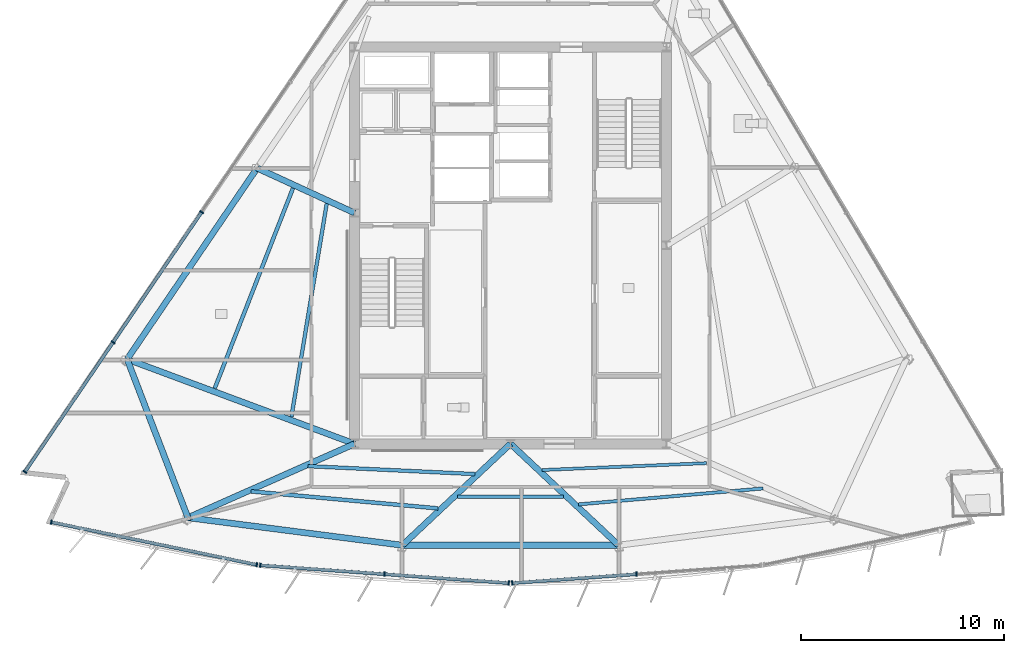
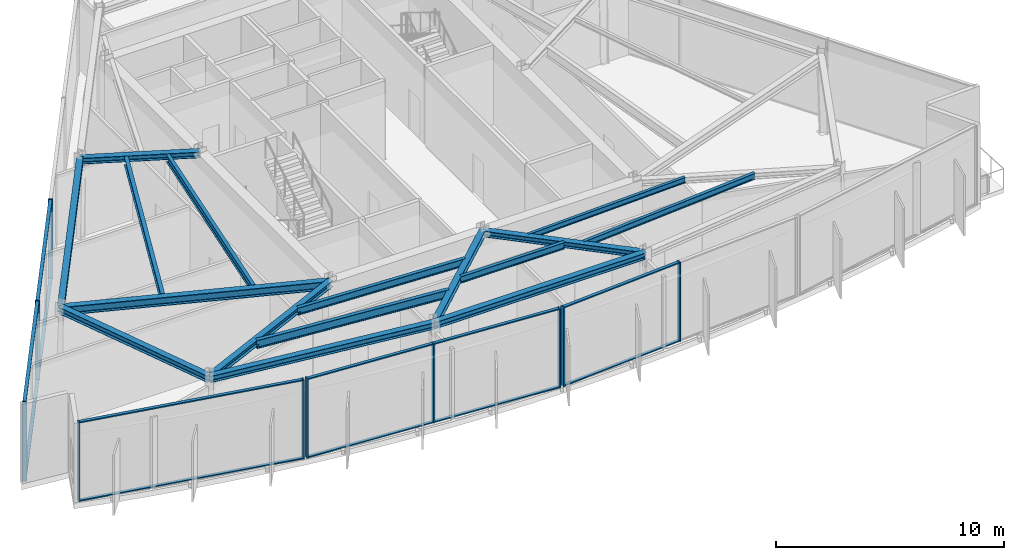
# One storey, part 2 of 12: 22 members, 16 beams, 4 elements without a shape of their own.
"""IFC4 building model written with IfcOpenShell, lengths in metres."""

from ifc_helpers import new_model, si_unit, direction, frame, origin, origin_2d, place, context, subcontext, project, spatial, rectangle, i_section, extrude, material, material_profile, profile_set, type_object, element, aggregate, save


model = new_model("IFC4")

# Units and contexts
model_context = context("Model", 3, precision=1e-05, world=origin(), true_north=direction((0.0, 1.0)))
body_context = subcontext(model_context, "Body", "Model", "MODEL_VIEW")
ifc_project = project(units=[si_unit("LENGTHUNIT", "METRE"), si_unit("AREAUNIT", "SQUARE_METRE"), si_unit("VOLUMEUNIT", "CUBIC_METRE"), si_unit("PLANEANGLEUNIT", "RADIAN"), si_unit("MASSUNIT", "GRAM", prefix="KILO")], contexts=[model_context])

# Site, building, storey
site_placement = place(None, origin())
site = spatial("IfcSite", under=ifc_project, at=site_placement, CompositionType="ELEMENT")
building_placement = place(site_placement, origin())
building = spatial("IfcBuilding", under=site, at=building_placement, Name="Savorim Split Tower", CompositionType="ELEMENT")
storey_placement = place(building_placement, frame((0.0, 0.0, 246.300048828125)))
storey = spatial("IfcBuildingStorey", under=building, at=storey_placement, Name="L65", CompositionType="ELEMENT", Elevation=246.300048828125)

# Beams
ifc_material_1 = material(Name="Steel S355", Category="steel")
ifc_material_profile_1 = material_profile(ifc_material_1, i_section(OverallWidth=0.14990234375, OverallDepth=0.300048828125, WebThickness=0.007080078125, FlangeThickness=0.0107421875, FilletRadius=0.014892578125, at=origin_2d()), Name="IPE 300")
ifc_profile_set_1 = profile_set([ifc_material_profile_1], Name="Steel S355")
beam_type_1 = type_object("IfcBeamType", Name="BM-JST-IPE300", PredefinedType="JOIST", material=ifc_profile_set_1)
beam_1_placement = place(storey_placement, frame((1.5478515625, -10.695556640625, 4.099853515625), z_axis=(0.999126509947, 0.041787762816, 0.0), x_axis=(-0.041787762816, 0.999126509947, 0.0)))
element("IfcBeam", 1, at=beam_1_placement, inside=storey, type_object=beam_type_1, Name="L65 Secondary Floor Joist JS-05", PredefinedType="JOIST", context=body_context, shape_type="SweptSolid", body=[
    extrude(i_section(OverallWidth=0.14990234375, OverallDepth=0.300048828125, WebThickness=0.007080078125, FlangeThickness=0.0107421875, FilletRadius=0.014892578125, at=origin_2d()), origin(), (0.0, 0.0, 1.0), 8.138427734375),
])
ifc_material_profile_2 = material_profile(ifc_material_1, i_section(OverallWidth=0.159912109375, OverallDepth=0.330078125, WebThickness=0.007568359375, FlangeThickness=0.011474609375, FilletRadius=0.01806640625, at=origin_2d()), Name="IPE 330")
ifc_profile_set_2 = profile_set([ifc_material_profile_2], Name="Steel S355")
beam_type_2 = type_object("IfcBeamType", Name="BM-JST-IPE330", PredefinedType="JOIST", material=ifc_profile_set_2)
beam_2_placement = place(storey_placement, frame((3.3623046875, -12.39111328125, 4.0849609375), z_axis=(0.996283123315, 0.086139063133, 0.0), x_axis=(-0.086139063133, 0.996283123315, 0.0)))
element("IfcBeam", 2, at=beam_2_placement, inside=storey, type_object=beam_type_2, Name="L65 Secondary Floor Joist JS-04", PredefinedType="JOIST", context=body_context, shape_type="SweptSolid", body=[
    extrude(i_section(OverallWidth=0.159912109375, OverallDepth=0.330078125, WebThickness=0.007568359375, FlangeThickness=0.011474609375, FilletRadius=0.01806640625, at=origin_2d()), origin(), (0.0, 0.0, 1.0), 9.14892578125),
])
ifc_material_profile_3 = material_profile(ifc_material_1, i_section(OverallWidth=0.169921875, OverallDepth=0.360107421875, WebThickness=0.008056640625, FlangeThickness=0.0126953125, FilletRadius=0.01806640625, at=origin_2d()), Name="IPE 360")
ifc_profile_set_3 = profile_set([ifc_material_profile_3], Name="Steel S355")
beam_type_3 = type_object("IfcBeamType", Name="BM-JST-IPE360", PredefinedType="JOIST", material=ifc_profile_set_3)
beam_3_placement = place(storey_placement, frame((-2.615966796875, -12.00439453125, 4.070068359375), z_axis=(1.0, 0.0, 0.0), x_axis=(0.0, 1.0, 0.0)))
element("IfcBeam", 3, at=beam_3_placement, inside=storey, type_object=beam_type_3, Name="L65 Secondary Floor Joist JS-03", PredefinedType="JOIST", context=body_context, shape_type="SweptSolid", body=[
    extrude(i_section(OverallWidth=0.169921875, OverallDepth=0.360107421875, WebThickness=0.008056640625, FlangeThickness=0.0126953125, FilletRadius=0.01806640625, at=origin_2d()), origin(), (0.0, 0.0, 1.0), 5.23193359375),
])
ifc_material_profile_4 = material_profile(ifc_material_1, i_section(OverallWidth=0.179931640625, OverallDepth=0.39990234375, WebThickness=0.008544921875, FlangeThickness=0.013427734375, FilletRadius=0.02099609375, at=origin_2d()), Name="IPE 400")
ifc_profile_set_4 = profile_set([ifc_material_profile_4], Name="Steel S355")
beam_type_4 = type_object("IfcBeamType", Name="BM-JST-IPE400", PredefinedType="JOIST", material=ifc_profile_set_4)
beam_4_placement = place(storey_placement, frame((-10.008544921875, -10.502197265625, 4.050048828125), z_axis=(0.998867602477, -0.047576388277, 0.0), x_axis=(0.047576388277, 0.998867602477, 0.0)))
element("IfcBeam", 4, at=beam_4_placement, inside=storey, type_object=beam_type_4, Name="L65 Secondary Floor Joist JS-02", PredefinedType="JOIST", context=body_context, shape_type="SweptSolid", body=[
    extrude(i_section(OverallWidth=0.179931640625, OverallDepth=0.39990234375, WebThickness=0.008544921875, FlangeThickness=0.013427734375, FilletRadius=0.02099609375, at=origin_2d()), origin(), (0.0, 0.0, 1.0), 8.256591796875),
])
beam_5_placement = place(storey_placement, frame((-9.072998046875, 2.46240234375, 4.050048828125), z_axis=(-0.163446088369, -0.986552267342, 0.0), x_axis=(0.986552267342, -0.163446088369, 0.0)))
element("IfcBeam", 5, at=beam_5_placement, inside=storey, type_object=beam_type_4, Name="L65 Secondary Floor Joist JS-11", PredefinedType="JOIST", context=body_context, shape_type="SweptSolid", body=[
    extrude(i_section(OverallWidth=0.179931640625, OverallDepth=0.39990234375, WebThickness=0.008544921875, FlangeThickness=0.013427734375, FilletRadius=0.02099609375, at=origin_2d()), origin(), (0.0, 0.0, 1.0), 10.678466796875),
])
ifc_material_profile_5 = material_profile(ifc_material_1, i_section(OverallWidth=0.18994140625, OverallDepth=0.449951171875, WebThickness=0.009521484375, FlangeThickness=0.0146484375, FilletRadius=0.02099609375, at=origin_2d()), Name="IPE 450")
ifc_profile_set_5 = profile_set([ifc_material_profile_5], Name="Steel S355")
beam_type_5 = type_object("IfcBeamType", Name="BM-JST-IPE450", PredefinedType="JOIST", material=ifc_profile_set_5)
beam_6_placement = place(storey_placement, frame((-12.806396484375, -11.749755859375, 4.02490234375), z_axis=(0.995874618253, -0.090739984128, 0.0), x_axis=(0.090739984128, 0.995874618253, 0.0)))
element("IfcBeam", 6, at=beam_6_placement, inside=storey, type_object=beam_type_5, Name="L65 Secondary Floor Joist JS-01", PredefinedType="JOIST", context=body_context, shape_type="SweptSolid", body=[
    extrude(i_section(OverallWidth=0.18994140625, OverallDepth=0.449951171875, WebThickness=0.009521484375, FlangeThickness=0.0146484375, FilletRadius=0.02099609375, at=origin_2d()), origin(), (0.0, 0.0, 1.0), 9.26904296875),
])
beam_7_placement = place(storey_placement, frame((-10.740478515625, 3.22412109375, 4.02490234375), z_axis=(-0.364069740651, -0.931371689468, 0.0), x_axis=(0.931371689468, -0.364069740651, 0.0)))
element("IfcBeam", 7, at=beam_7_placement, inside=storey, type_object=beam_type_5, Name="L65 Secondary Floor Joist JS-10", PredefinedType="JOIST", context=body_context, shape_type="SweptSolid", body=[
    extrude(i_section(OverallWidth=0.18994140625, OverallDepth=0.449951171875, WebThickness=0.009521484375, FlangeThickness=0.0146484375, FilletRadius=0.02099609375, at=origin_2d()), origin(), (0.0, 0.0, 1.0), 10.61328125),
])
ifc_material_profile_6 = material_profile(ifc_material_1, i_section(OverallWidth=0.300048828125, OverallDepth=0.320068359375, WebThickness=0.011474609375, FlangeThickness=0.0205078125, FilletRadius=0.027099609375, at=origin_2d()), Name="HEB 320")
ifc_profile_set_6 = profile_set([ifc_material_profile_6], Name="Steel S355")
beam_type_6 = type_object("IfcBeamType", Name="BM-PRI-HEB320", PredefinedType="BEAM", material=ifc_profile_set_6)
beam_8_placement = place(storey_placement, frame((-15.927490234375, -13.048828125, 4.08984375), z_axis=(0.914131178879, 0.405418534111, 0.0), x_axis=(-0.405418534111, 0.914131178879, 0.0)))
element("IfcBeam", 8, at=beam_8_placement, inside=storey, type_object=beam_type_6, Name="L65 Primary Floor Girder RG-01", PredefinedType="BEAM", context=body_context, shape_type="SweptSolid", body=[
    extrude(i_section(OverallWidth=0.300048828125, OverallDepth=0.320068359375, WebThickness=0.011474609375, FlangeThickness=0.0205078125, FilletRadius=0.027099609375, at=origin_2d()), origin(), (0.0, 0.0, 1.0), 9.00048828125),
])
for number, where, z_axis, x_axis, name in (
    (9, (-5.338134765625, -14.408447265625, 4.08984375), (0.729261515288, 0.684235078259, 0.0), (-0.684235078259, 0.729261515288, 0.0), "L65 Primary Floor Girder RG-02"),
    (10, (5.338134765625, -14.408447265625, 4.08984375), (-0.729261515288, 0.684235078259, 0.0), (-0.684235078259, -0.729261515288, 0.0), "L65 Primary Floor Girder RG-03"),
):
    element("IfcBeam", number, at=place(storey_placement, frame(where, z_axis=z_axis, x_axis=x_axis)), inside=storey, type_object=beam_type_6, Name=name, PredefinedType="BEAM", context=body_context, shape_type="SweptSolid", body=[
        extrude(i_section(OverallWidth=0.300048828125, OverallDepth=0.320068359375, WebThickness=0.011474609375, FlangeThickness=0.0205078125, FilletRadius=0.027099609375, at=origin_2d()), origin(), (0.0, 0.0, 1.0), 7.31982421875),
    ])
beam_9_placement = place(storey_placement, frame((-12.51025390625, 4.21484375, 4.08984375), z_axis=(0.908339516942, -0.418233573451, 0.0), x_axis=(0.418233573451, 0.908339516942, 0.0)))
element("IfcBeam", 11, at=beam_9_placement, inside=storey, type_object=beam_type_6, Name="L65 Primary Floor Girder RG-09", PredefinedType="BEAM", context=body_context, shape_type="SweptSolid", body=[
    extrude(i_section(OverallWidth=0.300048828125, OverallDepth=0.320068359375, WebThickness=0.011474609375, FlangeThickness=0.0205078125, FilletRadius=0.027099609375, at=origin_2d()), origin(), (0.0, 0.0, 1.0), 5.295654296875),
])
ifc_material_profile_7 = material_profile(ifc_material_1, i_section(OverallWidth=0.300048828125, OverallDepth=0.449951171875, WebThickness=0.013916015625, FlangeThickness=0.02587890625, FilletRadius=0.027099609375, at=origin_2d()), Name="HEB 450")
ifc_profile_set_7 = profile_set([ifc_material_profile_7], Name="Steel S355")
beam_type_7 = type_object("IfcBeamType", Name="BM-PRI-HEB450", PredefinedType="BEAM", material=ifc_profile_set_7)
beam_10_placement = place(storey_placement, frame((-18.93017578125, -5.222412109375, 4.02490234375), z_axis=(0.937254525246, -0.348645887551, 0.0), x_axis=(0.348645887551, 0.937254525246, 0.0)))
element("IfcBeam", 12, at=beam_10_placement, inside=storey, type_object=beam_type_7, Name="L65 Primary Floor Girder RG-10", PredefinedType="BEAM", context=body_context, shape_type="SweptSolid", body=[
    extrude(i_section(OverallWidth=0.300048828125, OverallDepth=0.449951171875, WebThickness=0.013916015625, FlangeThickness=0.02587890625, FilletRadius=0.027099609375, at=origin_2d()), origin(), (0.0, 0.0, 1.0), 11.98193359375),
])
ifc_material_profile_8 = material_profile(ifc_material_1, i_section(OverallWidth=0.300048828125, OverallDepth=0.35009765625, WebThickness=0.010009765625, FlangeThickness=0.017578125, FilletRadius=0.027099609375, at=origin_2d()), Name="HEA 360")
ifc_profile_set_8 = profile_set([ifc_material_profile_8], Name="Steel S355")
beam_type_8 = type_object("IfcBeamType", Name="BM-SPN-HEA360", PredefinedType="SPANDREL", material=ifc_profile_set_8)
for number, where, z_axis, x_axis, name in (
    (13, (-15.927490234375, -13.048828125, 4.074951171875), (0.991857907137, -0.127349487823, 0.0), (0.127349487823, 0.991857907137, 0.0), "L65 Perimeter Spandrel Beam 1"),
    (14, (-5.338134765625, -14.408447265625, 4.074951171875), (1.0, 0.0, 0.0), (0.0, 1.0, 0.0), "L65 Perimeter Spandrel Beam 2"),
):
    element("IfcBeam", number, at=place(storey_placement, frame(where, z_axis=z_axis, x_axis=x_axis)), inside=storey, type_object=beam_type_8, Name=name, PredefinedType="SPANDREL", context=body_context, shape_type="SweptSolid", body=[
        extrude(i_section(OverallWidth=0.300048828125, OverallDepth=0.35009765625, WebThickness=0.010009765625, FlangeThickness=0.017578125, FilletRadius=0.027099609375, at=origin_2d()), origin(), (0.0, 0.0, 1.0), 10.67626953125),
    ])
beam_11_placement = place(storey_placement, frame((-12.51025390625, 4.21484375, 4.074951171875), z_axis=(-0.562465052159, -0.826821059903, 0.0), x_axis=(0.826821059903, -0.562465052159, 0.0)))
element("IfcBeam", 15, at=beam_11_placement, inside=storey, type_object=beam_type_8, Name="L65 Perimeter Spandrel Beam 9", PredefinedType="SPANDREL", context=body_context, shape_type="SweptSolid", body=[
    extrude(i_section(OverallWidth=0.300048828125, OverallDepth=0.35009765625, WebThickness=0.010009765625, FlangeThickness=0.017578125, FilletRadius=0.027099609375, at=origin_2d()), origin(), (0.0, 0.0, 1.0), 11.413818359375),
])
beam_12_placement = place(storey_placement, frame((-18.93017578125, -5.222412109375, 4.074951171875), z_axis=(0.358202201629, -0.933644034281, 0.0), x_axis=(0.933644034281, 0.358202201629, 0.0)))
element("IfcBeam", 16, at=beam_12_placement, inside=storey, type_object=beam_type_8, Name="L65 Perimeter Spandrel Beam 10", PredefinedType="SPANDREL", context=body_context, shape_type="SweptSolid", body=[
    extrude(i_section(OverallWidth=0.300048828125, OverallDepth=0.35009765625, WebThickness=0.010009765625, FlangeThickness=0.017578125, FilletRadius=0.027099609375, at=origin_2d()), origin(), (0.0, 0.0, 1.0), 8.382568359375),
])

# Curtain wall, members
ifc_material_2 = material(Name="Dark Ceramic-Fritted Insulated Glass", Category="glass")
curtain_wall_type = type_object("IfcCurtainWallType", Name="CW-SKY-ATRIUM", PredefinedType="NOTDEFINED", material=ifc_material_2)
curtain_wall_1_placement = place(storey_placement, origin())
curtain_wall_1 = element("IfcCurtainWall", 17, at=curtain_wall_1_placement, inside=storey, type_object=curtain_wall_type, Name="L65 Curtain Wall CW-L65-SF1", PredefinedType="NOTDEFINED")
ifc_material_3 = material(Name="Charcoal Anodised Aluminium", Category="aluminium")
ifc_material_profile_9 = material_profile(ifc_material_3, rectangle(XDim=0.219970703125, YDim=0.070068359375, at=origin_2d()), Name="ALU-M 220x70")
ifc_profile_set_9 = profile_set([ifc_material_profile_9], Name="Charcoal Anodised Aluminium")
member_type_1 = type_object("IfcMemberType", Name="CWM-220x70", PredefinedType="MULLION", material=ifc_profile_set_9)
member_1_placement = place(storey_placement, frame((-22.673095703125, -13.26708984375, 0.0), z_axis=(0.0, 0.0, 1.0), x_axis=(0.20320761208, 0.979135673129, 0.0)))
member_1 = element("IfcMember", 18, at=member_1_placement, type_object=member_type_1, Name="CW-05 mullion 1", PredefinedType="MULLION", context=body_context, shape_type="SweptSolid", body=[
    extrude(rectangle(XDim=0.219970703125, YDim=0.070068359375, at=origin_2d()), origin(), (0.0, 0.0, 1.0), 4.25),
])
member_2_placement = place(storey_placement, frame((-12.529052734375, -15.372314453125, 0.0), z_axis=(0.0, 0.0, 1.0), x_axis=(0.20320761208, 0.979135673129, 0.0)))
member_2 = element("IfcMember", 19, at=member_2_placement, type_object=member_type_1, Name="CW-05 mullion 2", PredefinedType="MULLION", context=body_context, shape_type="SweptSolid", body=[
    extrude(rectangle(XDim=0.219970703125, YDim=0.070068359375, at=origin_2d()), origin(), (0.0, 0.0, 1.0), 4.25),
])

curtain_wall_2_placement = place(storey_placement, origin())
curtain_wall_2 = element("IfcCurtainWall", 20, at=curtain_wall_2_placement, inside=storey, type_object=curtain_wall_type, Name="L65 Curtain Wall CW-L65-SF2", PredefinedType="NOTDEFINED")
member_3_placement = place(storey_placement, frame((-12.357177734375, -15.396240234375, 0.0), z_axis=(0.0, 0.0, 1.0), x_axis=(0.071562386711, 0.997436125678, 0.0)))
member_3 = element("IfcMember", 21, at=member_3_placement, type_object=member_type_1, Name="CW-05 mullion 1", PredefinedType="MULLION", context=body_context, shape_type="SweptSolid", body=[
    extrude(rectangle(XDim=0.219970703125, YDim=0.070068359375, at=origin_2d()), origin(), (0.0, 0.0, 1.0), 4.25),
])
member_4_placement = place(storey_placement, frame((-6.2216796875, -15.83642578125, 0.0), z_axis=(0.0, 0.0, 1.0), x_axis=(0.071562386711, 0.997436125678, 0.0)))
member_4 = element("IfcMember", 22, at=member_4_placement, type_object=member_type_1, Name="CW-05 mullion 2", PredefinedType="MULLION", context=body_context, shape_type="SweptSolid", body=[
    extrude(rectangle(XDim=0.219970703125, YDim=0.070068359375, at=origin_2d()), origin(), (0.0, 0.0, 1.0), 4.25),
])
member_5_placement = place(storey_placement, frame((-0.086181640625, -16.276611328125, 0.0), z_axis=(0.0, 0.0, 1.0), x_axis=(0.071562386711, 0.997436125678, 0.0)))
member_5 = element("IfcMember", 23, at=member_5_placement, type_object=member_type_1, Name="CW-05 mullion 3", PredefinedType="MULLION", context=body_context, shape_type="SweptSolid", body=[
    extrude(rectangle(XDim=0.219970703125, YDim=0.070068359375, at=origin_2d()), origin(), (0.0, 0.0, 1.0), 4.25),
])

curtain_wall_3_placement = place(storey_placement, origin())
curtain_wall_3 = element("IfcCurtainWall", 24, at=curtain_wall_3_placement, inside=storey, type_object=curtain_wall_type, Name="L65 Curtain Wall CW-L65-SF3", PredefinedType="NOTDEFINED")
member_6_placement = place(storey_placement, frame((0.086181640625, -16.276611328125, 0.0), z_axis=(0.0, 0.0, 1.0), x_axis=(-0.071562386711, 0.997436125678, 0.0)))
member_6 = element("IfcMember", 25, at=member_6_placement, type_object=member_type_1, Name="CW-05 mullion 1", PredefinedType="MULLION", context=body_context, shape_type="SweptSolid", body=[
    extrude(rectangle(XDim=0.219970703125, YDim=0.070068359375, at=origin_2d()), origin(), (0.0, 0.0, 1.0), 4.25),
])
member_7_placement = place(storey_placement, frame((6.2216796875, -15.83642578125, 0.0), z_axis=(0.0, 0.0, 1.0), x_axis=(-0.071562386711, 0.997436125678, 0.0)))
member_7 = element("IfcMember", 26, at=member_7_placement, type_object=member_type_1, Name="CW-05 mullion 2", PredefinedType="MULLION", context=body_context, shape_type="SweptSolid", body=[
    extrude(rectangle(XDim=0.219970703125, YDim=0.070068359375, at=origin_2d()), origin(), (0.0, 0.0, 1.0), 4.25),
])

curtain_wall_4_placement = place(storey_placement, origin())
curtain_wall_4 = element("IfcCurtainWall", 27, at=curtain_wall_4_placement, inside=storey, type_object=curtain_wall_type, Name="L65 Curtain Wall CW-L65-WEST", PredefinedType="NOTDEFINED")
member_8_placement = place(storey_placement, frame((-15.2509765625, 2.04296875, 0.0), z_axis=(0.0, 0.0, 1.0), x_axis=(0.826818160785, -0.562469313826, 0.0)))
member_8 = element("IfcMember", 28, at=member_8_placement, type_object=member_type_1, Name="CW-05 mullion 4", PredefinedType="MULLION", context=body_context, shape_type="SweptSolid", body=[
    extrude(rectangle(XDim=0.219970703125, YDim=0.070068359375, at=origin_2d()), origin(), (0.0, 0.0, 1.0), 4.25),
])
member_9_placement = place(storey_placement, frame((-19.6240234375, -4.38525390625, 0.0), z_axis=(0.0, 0.0, 1.0), x_axis=(0.826818160785, -0.562469313826, 0.0)))
member_9 = element("IfcMember", 29, at=member_9_placement, type_object=member_type_1, Name="CW-05 mullion 5", PredefinedType="MULLION", context=body_context, shape_type="SweptSolid", body=[
    extrude(rectangle(XDim=0.219970703125, YDim=0.070068359375, at=origin_2d()), origin(), (0.0, 0.0, 1.0), 4.25),
])
member_10_placement = place(storey_placement, frame((-23.977294921875, -10.784423828125, 0.0), z_axis=(0.0, 0.0, 1.0), x_axis=(0.826818160785, -0.562469313826, 0.0)))
member_10 = element("IfcMember", 30, at=member_10_placement, type_object=member_type_1, Name="CW-05 mullion 6", PredefinedType="MULLION", context=body_context, shape_type="SweptSolid", body=[
    extrude(rectangle(XDim=0.219970703125, YDim=0.070068359375, at=origin_2d()), origin(), (0.0, 0.0, 1.0), 4.25),
])

# Member
ifc_material_profile_10 = material_profile(ifc_material_3, rectangle(XDim=0.159912109375, YDim=0.06005859375, at=origin_2d()), Name="ALU-T 160x60")
ifc_profile_set_10 = profile_set([ifc_material_profile_10], Name="Charcoal Anodised Aluminium")
member_type_2 = type_object("IfcMemberType", Name="CWT-160x60", PredefinedType="USERDEFINED", material=ifc_profile_set_10)
member_11_placement = place(storey_placement, frame((-22.638916015625, -13.274169921875, 0.030029296875), z_axis=(0.979136064169, -0.20320572788, 0.0), x_axis=(0.20320572788, 0.979136064169, 0.0)))
member_11 = element("IfcMember", 31, at=member_11_placement, type_object=member_type_2, Name="CW-05 transom 1.1", ObjectType="TRANSOM", PredefinedType="USERDEFINED", context=body_context, shape_type="SweptSolid", body=[
    extrude(rectangle(XDim=0.159912109375, YDim=0.06005859375, at=origin_2d()), origin(), (0.0, 0.0, 1.0), 10.290283203125),
])

member_12_placement = place(storey_placement, frame((-22.638916015625, -13.274169921875, 4.219970703125), z_axis=(0.979136064169, -0.20320572788, 0.0), x_axis=(0.20320572788, 0.979136064169, 0.0)))
member_12 = element("IfcMember", 32, at=member_12_placement, type_object=member_type_2, Name="CW-05 transom 1.2", ObjectType="TRANSOM", PredefinedType="USERDEFINED", context=body_context, shape_type="SweptSolid", body=[
    extrude(rectangle(XDim=0.159912109375, YDim=0.06005859375, at=origin_2d()), origin(), (0.0, 0.0, 1.0), 10.290283203125),
])

aggregate(curtain_wall_1, [member_1, member_2, member_11, member_12])

member_13_placement = place(storey_placement, frame((-12.322265625, -15.39892578125, 0.030029296875), z_axis=(0.997437666286, -0.071540910498, 0.0), x_axis=(0.071540910498, 0.997437666286, 0.0)))
member_13 = element("IfcMember", 33, at=member_13_placement, type_object=member_type_2, Name="CW-05 transom 1.1", ObjectType="TRANSOM", PredefinedType="USERDEFINED", context=body_context, shape_type="SweptSolid", body=[
    extrude(rectangle(XDim=0.159912109375, YDim=0.06005859375, at=origin_2d()), origin(), (0.0, 0.0, 1.0), 6.081298828125),
])

member_14_placement = place(storey_placement, frame((-12.322265625, -15.39892578125, 4.219970703125), z_axis=(0.997437666286, -0.071540910498, 0.0), x_axis=(0.071540910498, 0.997437666286, 0.0)))
member_14 = element("IfcMember", 34, at=member_14_placement, type_object=member_type_2, Name="CW-05 transom 1.2", ObjectType="TRANSOM", PredefinedType="USERDEFINED", context=body_context, shape_type="SweptSolid", body=[
    extrude(rectangle(XDim=0.159912109375, YDim=0.06005859375, at=origin_2d()), origin(), (0.0, 0.0, 1.0), 6.081298828125),
])

member_15_placement = place(storey_placement, frame((-6.186767578125, -15.839111328125, 0.030029296875), z_axis=(0.997437666286, -0.071540910498, 0.0), x_axis=(0.071540910498, 0.997437666286, 0.0)))
member_15 = element("IfcMember", 35, at=member_15_placement, type_object=member_type_2, Name="CW-05 transom 2.1", ObjectType="TRANSOM", PredefinedType="USERDEFINED", context=body_context, shape_type="SweptSolid", body=[
    extrude(rectangle(XDim=0.159912109375, YDim=0.06005859375, at=origin_2d()), origin(), (0.0, 0.0, 1.0), 6.081298828125),
])

member_16_placement = place(storey_placement, frame((-6.186767578125, -15.839111328125, 4.219970703125), z_axis=(0.997437666286, -0.071540910498, 0.0), x_axis=(0.071540910498, 0.997437666286, 0.0)))
member_16 = element("IfcMember", 36, at=member_16_placement, type_object=member_type_2, Name="CW-05 transom 2.2", ObjectType="TRANSOM", PredefinedType="USERDEFINED", context=body_context, shape_type="SweptSolid", body=[
    extrude(rectangle(XDim=0.159912109375, YDim=0.06005859375, at=origin_2d()), origin(), (0.0, 0.0, 1.0), 6.081298828125),
])

aggregate(curtain_wall_2, [member_3, member_4, member_5, member_13, member_14, member_15, member_16])

member_17_placement = place(storey_placement, frame((0.12109375, -16.274169921875, 0.030029296875), z_axis=(0.997437666286, 0.071540910498, 0.0), x_axis=(-0.071540910498, 0.997437666286, 0.0)))
member_17 = element("IfcMember", 37, at=member_17_placement, type_object=member_type_2, Name="CW-05 transom 1.1", ObjectType="TRANSOM", PredefinedType="USERDEFINED", context=body_context, shape_type="SweptSolid", body=[
    extrude(rectangle(XDim=0.159912109375, YDim=0.06005859375, at=origin_2d()), origin(), (0.0, 0.0, 1.0), 6.081298828125),
])

member_18_placement = place(storey_placement, frame((0.12109375, -16.274169921875, 4.219970703125), z_axis=(0.997437666286, 0.071540910498, 0.0), x_axis=(-0.071540910498, 0.997437666286, 0.0)))
member_18 = element("IfcMember", 38, at=member_18_placement, type_object=member_type_2, Name="CW-05 transom 1.2", ObjectType="TRANSOM", PredefinedType="USERDEFINED", context=body_context, shape_type="SweptSolid", body=[
    extrude(rectangle(XDim=0.159912109375, YDim=0.06005859375, at=origin_2d()), origin(), (0.0, 0.0, 1.0), 6.081298828125),
])

aggregate(curtain_wall_3, [member_6, member_7, member_17, member_18])

member_19_placement = place(storey_placement, frame((-15.270751953125, 2.01416015625, 0.030029296875), z_axis=(-0.562456490144, -0.826826884357, 0.0), x_axis=(0.826826884357, -0.562456490144, 0.0)))
member_19 = element("IfcMember", 39, at=member_19_placement, type_object=member_type_2, Name="CW-05 transom 4.1", ObjectType="TRANSOM", PredefinedType="USERDEFINED", context=body_context, shape_type="SweptSolid", body=[
    extrude(rectangle(XDim=0.159912109375, YDim=0.06005859375, at=origin_2d()), origin(), (0.0, 0.0, 1.0), 7.70458984375),
])

member_20_placement = place(storey_placement, frame((-15.270751953125, 2.01416015625, 4.219970703125), z_axis=(-0.562456490144, -0.826826884357, 0.0), x_axis=(0.826826884357, -0.562456490144, 0.0)))
member_20 = element("IfcMember", 40, at=member_20_placement, type_object=member_type_2, Name="CW-05 transom 4.2", ObjectType="TRANSOM", PredefinedType="USERDEFINED", context=body_context, shape_type="SweptSolid", body=[
    extrude(rectangle(XDim=0.159912109375, YDim=0.06005859375, at=origin_2d()), origin(), (0.0, 0.0, 1.0), 7.70458984375),
])

member_21_placement = place(storey_placement, frame((-19.6435546875, -4.4140625, 0.030029296875), z_axis=(-0.562477181864, -0.826812808248, 0.0), x_axis=(0.826812808248, -0.562477181864, 0.0)))
member_21 = element("IfcMember", 41, at=member_21_placement, type_object=member_type_2, Name="CW-05 transom 5.1", ObjectType="TRANSOM", PredefinedType="USERDEFINED", context=body_context, shape_type="SweptSolid", body=[
    extrude(rectangle(XDim=0.159912109375, YDim=0.06005859375, at=origin_2d()), origin(), (0.0, 0.0, 1.0), 7.669677734375),
])

member_22_placement = place(storey_placement, frame((-19.6435546875, -4.4140625, 4.219970703125), z_axis=(-0.562477181864, -0.826812808248, 0.0), x_axis=(0.826812808248, -0.562477181864, 0.0)))
member_22 = element("IfcMember", 42, at=member_22_placement, type_object=member_type_2, Name="CW-05 transom 5.2", ObjectType="TRANSOM", PredefinedType="USERDEFINED", context=body_context, shape_type="SweptSolid", body=[
    extrude(rectangle(XDim=0.159912109375, YDim=0.06005859375, at=origin_2d()), origin(), (0.0, 0.0, 1.0), 7.669677734375),
])

aggregate(curtain_wall_4, [member_8, member_9, member_10, member_19, member_20, member_21, member_22])

save(model, "model.ifc")
